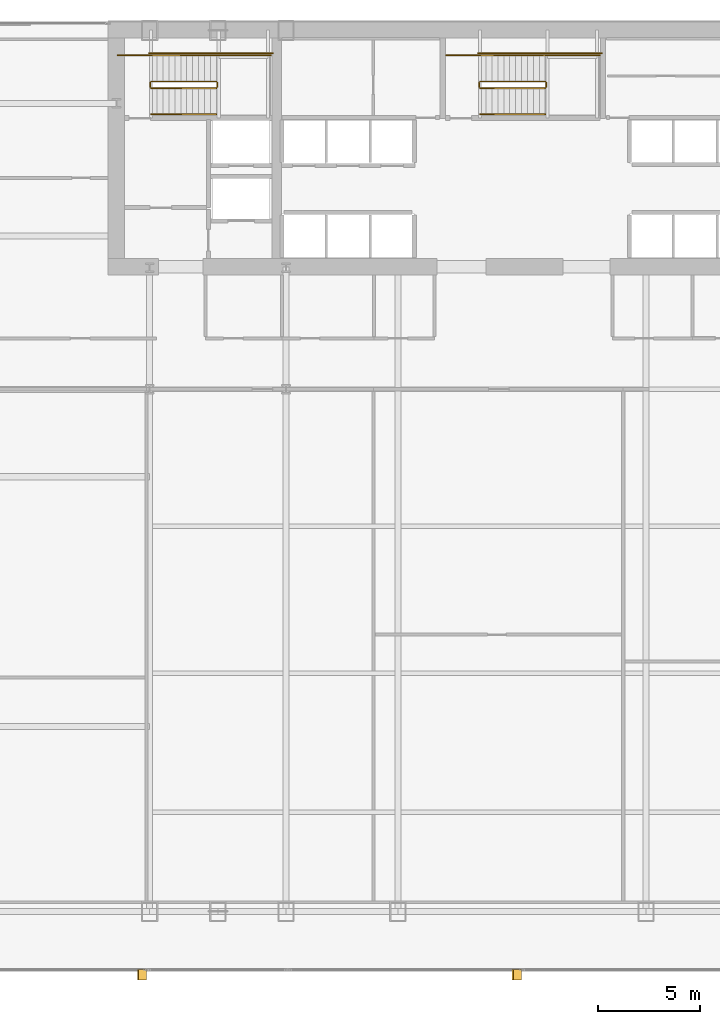
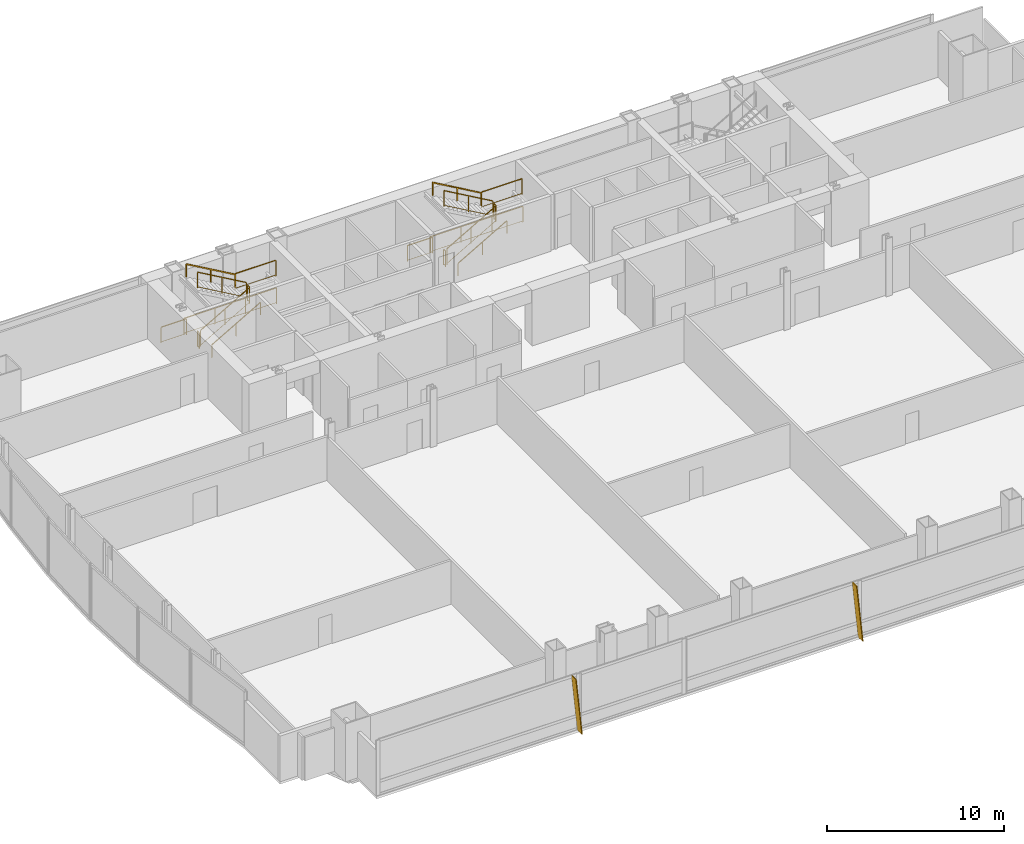
# One storey, part 33 of 35: 18 railings, 2 shading devices.
"""IFC4 building model written with IfcOpenShell, lengths in metres."""

from ifc_helpers import new_model, si_unit, direction, frame, origin, origin_2d, place, context, subcontext, project, spatial, polyline, rectangle, outline, extrude, material, layer, layer_set, type_object, element, save


model = new_model("IFC4")

# Units and contexts
model_context = context("Model", 3, precision=1e-05, world=origin(), true_north=direction((0.0, 1.0)))
body_context = subcontext(model_context, "Body", "Model", "MODEL_VIEW")
ifc_project = project(units=[si_unit("LENGTHUNIT", "METRE"), si_unit("AREAUNIT", "SQUARE_METRE"), si_unit("VOLUMEUNIT", "CUBIC_METRE"), si_unit("PLANEANGLEUNIT", "RADIAN"), si_unit("MASSUNIT", "GRAM", prefix="KILO")], contexts=[model_context])

# Site, building, storey
site_placement = place(None, origin())
site = spatial("IfcSite", under=ifc_project, at=site_placement, CompositionType="ELEMENT")
building_placement = place(site_placement, origin())
building = spatial("IfcBuilding", under=site, at=building_placement, Name="Khoronbel Lancet Exchange", CompositionType="ELEMENT")
storey_placement = place(building_placement, frame((0.0, 0.0, 69.800048828125)))
storey = spatial("IfcBuildingStorey", under=building, at=storey_placement, Name="L16", CompositionType="ELEMENT", Elevation=69.800048828125)

# Railings
ifc_material_1 = material(Name="Painted Steel Balustrade", Category="steel")
railing_type_1 = type_object("IfcRailingType", Name="RL-STG110", PredefinedType="GUARDRAIL", material=ifc_material_1)
railing_1_placement = place(storey_placement, frame((18.300048828125, 50.449951171875, 0.16650390625)))
element("IfcRailing", 1, at=railing_1_placement, inside=storey, type_object=railing_type_1, Name="L16 ST1 stair guard 1", PredefinedType="GUARDRAIL", context=body_context, shape_type="SweptSolid", body=[
    extrude(rectangle(XDim=0.048095703125, YDim=0.048095703125, at=origin_2d()), frame((0.0, 0.0, 1.09619140625), z_axis=(0.86699087805, 0.0, 0.498324008431), x_axis=(0.0, 1.0, 0.0)), (0.0, 0.0, 1.0), 3.679443359375),
    extrude(rectangle(XDim=0.02392578125, YDim=0.02392578125, at=origin_2d()), frame((0.0, 0.0, 0.080078125), z_axis=(0.86699087805, 0.0, 0.498324008431), x_axis=(0.0, 1.0, 0.0)), (0.0, 0.0, 1.0), 3.679443359375),
    extrude(rectangle(XDim=0.0419921875, YDim=0.0419921875, at=origin_2d()), origin(), (0.0, 0.0, 1.0), 1.072021484375),
    extrude(rectangle(XDim=0.0419921875, YDim=0.0419921875, at=origin_2d()), frame((1.594970703125, 0.0, 0.916748046875)), (0.0, 0.0, 1.0), 1.072021484375),
    extrude(rectangle(XDim=0.0419921875, YDim=0.0419921875, at=origin_2d()), frame((3.18994140625, 0.0, 1.83349609375)), (0.0, 0.0, 1.0), 1.072021484375),
])
railing_2_placement = place(storey_placement, frame((21.5400390625, 50.5, 2.0)))
element("IfcRailing", 2, at=railing_2_placement, inside=storey, type_object=railing_type_1, Name="L16 ST1 stair guard 2", PredefinedType="GUARDRAIL", context=body_context, shape_type="SweptSolid", body=[
    extrude(rectangle(XDim=0.048095703125, YDim=0.048095703125, at=origin_2d()), frame((0.0, 0.0, 1.09619140625), z_axis=(0.0, 1.0, 0.0), x_axis=(-1.0, 0.0, 0.0)), (0.0, 0.0, 1.0), 0.219970703125),
    extrude(rectangle(XDim=0.02392578125, YDim=0.02392578125, at=origin_2d()), frame((0.0, 0.0, 0.080078125), z_axis=(0.0, 1.0, 0.0), x_axis=(-1.0, 0.0, 0.0)), (0.0, 0.0, 1.0), 0.219970703125),
    extrude(rectangle(XDim=0.0419921875, YDim=0.0419921875, at=origin_2d()), origin(), (0.0, 0.0, 1.0), 1.072021484375),
    extrude(rectangle(XDim=0.0419921875, YDim=0.0419921875, at=origin_2d()), frame((0.0, 0.219970703125, 0.0)), (0.0, 0.0, 1.0), 1.072021484375),
])
railing_3_placement = place(storey_placement, frame((21.489990234375, 52.050048828125, 2.0)))
element("IfcRailing", 3, at=railing_3_placement, inside=storey, type_object=railing_type_1, Name="L16 ST1 stair guard 3", PredefinedType="GUARDRAIL", context=body_context, shape_type="SweptSolid", body=[
    extrude(rectangle(XDim=0.048095703125, YDim=0.048095703125, at=origin_2d()), frame((0.0, 0.0, 1.09619140625), z_axis=(1.0, 0.0, 0.0), x_axis=(0.0, 1.0, 0.0)), (0.0, 0.0, 1.0), 2.659912109375),
    extrude(rectangle(XDim=0.02392578125, YDim=0.02392578125, at=origin_2d()), frame((0.0, 0.0, 0.080078125), z_axis=(1.0, 0.0, 0.0), x_axis=(0.0, 1.0, 0.0)), (0.0, 0.0, 1.0), 2.659912109375),
    extrude(rectangle(XDim=0.0419921875, YDim=0.0419921875, at=origin_2d()), origin(), (0.0, 0.0, 1.0), 1.072021484375),
    extrude(rectangle(XDim=0.0419921875, YDim=0.0419921875, at=origin_2d()), frame((2.659912109375, 0.0, 0.0)), (0.0, 0.0, 1.0), 1.072021484375),
])
railing_4_placement = place(storey_placement, frame((21.489990234375, 50.77001953125, 2.16650390625)))
element("IfcRailing", 4, at=railing_4_placement, inside=storey, type_object=railing_type_1, Name="L16 ST1 stair guard 4", PredefinedType="GUARDRAIL", context=body_context, shape_type="SweptSolid", body=[
    extrude(rectangle(XDim=0.048095703125, YDim=0.048095703125, at=origin_2d()), frame((0.0, 0.0, 1.09619140625), z_axis=(-0.86699087805, 0.0, 0.498324008431), x_axis=(0.0, -1.0, 0.0)), (0.0, 0.0, 1.0), 3.679443359375),
    extrude(rectangle(XDim=0.02392578125, YDim=0.02392578125, at=origin_2d()), frame((0.0, 0.0, 0.080078125), z_axis=(-0.86699087805, 0.0, 0.498324008431), x_axis=(0.0, -1.0, 0.0)), (0.0, 0.0, 1.0), 3.679443359375),
    extrude(rectangle(XDim=0.0419921875, YDim=0.0419921875, at=origin_2d()), origin(), (0.0, 0.0, 1.0), 1.072021484375),
    extrude(rectangle(XDim=0.0419921875, YDim=0.0419921875, at=origin_2d()), frame((-1.594970703125, 0.0, 0.916748046875)), (0.0, 0.0, 1.0), 1.072021484375),
    extrude(rectangle(XDim=0.0419921875, YDim=0.0419921875, at=origin_2d()), frame((-3.18994140625, 0.0, 1.83349609375)), (0.0, 0.0, 1.0), 1.072021484375),
])
railing_5_placement = place(storey_placement, frame((18.25, 50.5, 0.0)))
element("IfcRailing", 5, at=railing_5_placement, inside=storey, type_object=railing_type_1, Name="L16 ST1 stair guard 5", PredefinedType="GUARDRAIL", context=body_context, shape_type="SweptSolid", body=[
    extrude(rectangle(XDim=0.048095703125, YDim=0.048095703125, at=origin_2d()), frame((0.0, 0.0, 1.09619140625), z_axis=(0.0, 1.0, 0.0), x_axis=(-1.0, 0.0, 0.0)), (0.0, 0.0, 1.0), 0.219970703125),
    extrude(rectangle(XDim=0.02392578125, YDim=0.02392578125, at=origin_2d()), frame((0.0, 0.0, 0.080078125), z_axis=(0.0, 1.0, 0.0), x_axis=(-1.0, 0.0, 0.0)), (0.0, 0.0, 1.0), 0.219970703125),
    extrude(rectangle(XDim=0.0419921875, YDim=0.0419921875, at=origin_2d()), origin(), (0.0, 0.0, 1.0), 1.072021484375),
    extrude(rectangle(XDim=0.0419921875, YDim=0.0419921875, at=origin_2d()), frame((0.0, 0.219970703125, 0.0)), (0.0, 0.0, 1.0), 1.072021484375),
])
railing_6_placement = place(storey_placement, frame((16.64990234375, 52.050048828125, 0.0)))
element("IfcRailing", 6, at=railing_6_placement, inside=storey, type_object=railing_type_1, Name="L16 ST1 stair guard 6", PredefinedType="GUARDRAIL", context=body_context, shape_type="SweptSolid", body=[
    extrude(rectangle(XDim=0.048095703125, YDim=0.048095703125, at=origin_2d()), frame((0.0, 0.0, 1.09619140625), z_axis=(1.0, 0.0, 0.0), x_axis=(0.0, 1.0, 0.0)), (0.0, 0.0, 1.0), 1.650146484375),
    extrude(rectangle(XDim=0.02392578125, YDim=0.02392578125, at=origin_2d()), frame((0.0, 0.0, 0.080078125), z_axis=(1.0, 0.0, 0.0), x_axis=(0.0, 1.0, 0.0)), (0.0, 0.0, 1.0), 1.650146484375),
    extrude(rectangle(XDim=0.0419921875, YDim=0.0419921875, at=origin_2d()), origin(), (0.0, 0.0, 1.0), 1.072021484375),
    extrude(rectangle(XDim=0.0419921875, YDim=0.0419921875, at=origin_2d()), frame((1.650146484375, 0.0, 0.0)), (0.0, 0.0, 1.0), 1.072021484375),
])
railing_7_placement = place(storey_placement, frame((18.199951171875, 52.14990234375, 0.0)))
element("IfcRailing", 7, at=railing_7_placement, inside=storey, type_object=railing_type_1, Name="L16 ST1 stair guard 7", PredefinedType="GUARDRAIL", context=body_context, shape_type="SweptSolid", body=[
    extrude(rectangle(XDim=0.048095703125, YDim=0.048095703125, at=origin_2d()), frame((0.0, 0.0, 1.09619140625), z_axis=(1.0, 0.0, 0.0), x_axis=(0.0, 1.0, 0.0)), (0.0, 0.0, 1.0), 6.050048828125),
    extrude(rectangle(XDim=0.02392578125, YDim=0.02392578125, at=origin_2d()), frame((0.0, 0.0, 0.080078125), z_axis=(1.0, 0.0, 0.0), x_axis=(0.0, 1.0, 0.0)), (0.0, 0.0, 1.0), 6.050048828125),
    extrude(rectangle(XDim=0.0419921875, YDim=0.0419921875, at=origin_2d()), origin(), (0.0, 0.0, 1.0), 1.072021484375),
    extrude(rectangle(XDim=0.0419921875, YDim=0.0419921875, at=origin_2d()), frame((2.0166015625, 0.0, 0.0)), (0.0, 0.0, 1.0), 1.072021484375),
    extrude(rectangle(XDim=0.0419921875, YDim=0.0419921875, at=origin_2d()), frame((4.033447265625, 0.0, 0.0)), (0.0, 0.0, 1.0), 1.072021484375),
    extrude(rectangle(XDim=0.0419921875, YDim=0.0419921875, at=origin_2d()), frame((6.050048828125, 0.0, 0.0)), (0.0, 0.0, 1.0), 1.072021484375),
])
railing_8_placement = place(storey_placement, frame((34.39990234375, 50.449951171875, 0.16650390625)))
element("IfcRailing", 8, at=railing_8_placement, inside=storey, type_object=railing_type_1, Name="L16 ST3 stair guard 1", PredefinedType="GUARDRAIL", context=body_context, shape_type="SweptSolid", body=[
    extrude(rectangle(XDim=0.048095703125, YDim=0.048095703125, at=origin_2d()), frame((0.0, 0.0, 1.09619140625), z_axis=(0.867007354286, 0.0, 0.498295341753), x_axis=(0.0, 1.0, 0.0)), (0.0, 0.0, 1.0), 3.679443359375),
    extrude(rectangle(XDim=0.02392578125, YDim=0.02392578125, at=origin_2d()), frame((0.0, 0.0, 0.080078125), z_axis=(0.867007354286, 0.0, 0.498295341753), x_axis=(0.0, 1.0, 0.0)), (0.0, 0.0, 1.0), 3.679443359375),
    extrude(rectangle(XDim=0.0419921875, YDim=0.0419921875, at=origin_2d()), origin(), (0.0, 0.0, 1.0), 1.072021484375),
    extrude(rectangle(XDim=0.0419921875, YDim=0.0419921875, at=origin_2d()), frame((1.59521484375, 0.0, 0.916748046875)), (0.0, 0.0, 1.0), 1.072021484375),
    extrude(rectangle(XDim=0.0419921875, YDim=0.0419921875, at=origin_2d()), frame((3.190185546875, 0.0, 1.83349609375)), (0.0, 0.0, 1.0), 1.072021484375),
])
railing_9_placement = place(storey_placement, frame((37.639892578125, 50.5, 2.0)))
element("IfcRailing", 9, at=railing_9_placement, inside=storey, type_object=railing_type_1, Name="L16 ST3 stair guard 2", PredefinedType="GUARDRAIL", context=body_context, shape_type="SweptSolid", body=[
    extrude(rectangle(XDim=0.048095703125, YDim=0.048095703125, at=origin_2d()), frame((0.0, 0.0, 1.09619140625), z_axis=(0.0, 1.0, 0.0), x_axis=(-1.0, 0.0, 0.0)), (0.0, 0.0, 1.0), 0.219970703125),
    extrude(rectangle(XDim=0.02392578125, YDim=0.02392578125, at=origin_2d()), frame((0.0, 0.0, 0.080078125), z_axis=(0.0, 1.0, 0.0), x_axis=(-1.0, 0.0, 0.0)), (0.0, 0.0, 1.0), 0.219970703125),
    extrude(rectangle(XDim=0.0419921875, YDim=0.0419921875, at=origin_2d()), origin(), (0.0, 0.0, 1.0), 1.072021484375),
    extrude(rectangle(XDim=0.0419921875, YDim=0.0419921875, at=origin_2d()), frame((0.0, 0.219970703125, 0.0)), (0.0, 0.0, 1.0), 1.072021484375),
])
railing_10_placement = place(storey_placement, frame((37.590087890625, 52.050048828125, 2.0)))
element("IfcRailing", 10, at=railing_10_placement, inside=storey, type_object=railing_type_1, Name="L16 ST3 stair guard 3", PredefinedType="GUARDRAIL", context=body_context, shape_type="SweptSolid", body=[
    extrude(rectangle(XDim=0.048095703125, YDim=0.048095703125, at=origin_2d()), frame((0.0, 0.0, 1.09619140625), z_axis=(1.0, 0.0, 0.0), x_axis=(0.0, 1.0, 0.0)), (0.0, 0.0, 1.0), 2.659912109375),
    extrude(rectangle(XDim=0.02392578125, YDim=0.02392578125, at=origin_2d()), frame((0.0, 0.0, 0.080078125), z_axis=(1.0, 0.0, 0.0), x_axis=(0.0, 1.0, 0.0)), (0.0, 0.0, 1.0), 2.659912109375),
    extrude(rectangle(XDim=0.0419921875, YDim=0.0419921875, at=origin_2d()), origin(), (0.0, 0.0, 1.0), 1.072021484375),
    extrude(rectangle(XDim=0.0419921875, YDim=0.0419921875, at=origin_2d()), frame((2.659912109375, 0.0, 0.0)), (0.0, 0.0, 1.0), 1.072021484375),
])
railing_11_placement = place(storey_placement, frame((37.590087890625, 50.77001953125, 2.16650390625)))
element("IfcRailing", 11, at=railing_11_placement, inside=storey, type_object=railing_type_1, Name="L16 ST3 stair guard 4", PredefinedType="GUARDRAIL", context=body_context, shape_type="SweptSolid", body=[
    extrude(rectangle(XDim=0.048095703125, YDim=0.048095703125, at=origin_2d()), frame((0.0, 0.0, 1.09619140625), z_axis=(-0.867007354286, 0.0, 0.498295341753), x_axis=(0.0, -1.0, 0.0)), (0.0, 0.0, 1.0), 3.679443359375),
    extrude(rectangle(XDim=0.02392578125, YDim=0.02392578125, at=origin_2d()), frame((0.0, 0.0, 0.080078125), z_axis=(-0.867007354286, 0.0, 0.498295341753), x_axis=(0.0, -1.0, 0.0)), (0.0, 0.0, 1.0), 3.679443359375),
    extrude(rectangle(XDim=0.0419921875, YDim=0.0419921875, at=origin_2d()), origin(), (0.0, 0.0, 1.0), 1.072021484375),
    extrude(rectangle(XDim=0.0419921875, YDim=0.0419921875, at=origin_2d()), frame((-1.59521484375, 0.0, 0.916748046875)), (0.0, 0.0, 1.0), 1.072021484375),
    extrude(rectangle(XDim=0.0419921875, YDim=0.0419921875, at=origin_2d()), frame((-3.190185546875, 0.0, 1.83349609375)), (0.0, 0.0, 1.0), 1.072021484375),
])
railing_12_placement = place(storey_placement, frame((34.35009765625, 50.5, 0.0)))
element("IfcRailing", 12, at=railing_12_placement, inside=storey, type_object=railing_type_1, Name="L16 ST3 stair guard 5", PredefinedType="GUARDRAIL", context=body_context, shape_type="SweptSolid", body=[
    extrude(rectangle(XDim=0.048095703125, YDim=0.048095703125, at=origin_2d()), frame((0.0, 0.0, 1.09619140625), z_axis=(0.0, 1.0, 0.0), x_axis=(-1.0, 0.0, 0.0)), (0.0, 0.0, 1.0), 0.219970703125),
    extrude(rectangle(XDim=0.02392578125, YDim=0.02392578125, at=origin_2d()), frame((0.0, 0.0, 0.080078125), z_axis=(0.0, 1.0, 0.0), x_axis=(-1.0, 0.0, 0.0)), (0.0, 0.0, 1.0), 0.219970703125),
    extrude(rectangle(XDim=0.0419921875, YDim=0.0419921875, at=origin_2d()), origin(), (0.0, 0.0, 1.0), 1.072021484375),
    extrude(rectangle(XDim=0.0419921875, YDim=0.0419921875, at=origin_2d()), frame((0.0, 0.219970703125, 0.0)), (0.0, 0.0, 1.0), 1.072021484375),
])
railing_13_placement = place(storey_placement, frame((32.75, 52.050048828125, 0.0)))
element("IfcRailing", 13, at=railing_13_placement, inside=storey, type_object=railing_type_1, Name="L16 ST3 stair guard 6", PredefinedType="GUARDRAIL", context=body_context, shape_type="SweptSolid", body=[
    extrude(rectangle(XDim=0.048095703125, YDim=0.048095703125, at=origin_2d()), frame((0.0, 0.0, 1.09619140625), z_axis=(1.0, 0.0, 0.0), x_axis=(0.0, 1.0, 0.0)), (0.0, 0.0, 1.0), 1.64990234375),
    extrude(rectangle(XDim=0.02392578125, YDim=0.02392578125, at=origin_2d()), frame((0.0, 0.0, 0.080078125), z_axis=(1.0, 0.0, 0.0), x_axis=(0.0, 1.0, 0.0)), (0.0, 0.0, 1.0), 1.64990234375),
    extrude(rectangle(XDim=0.0419921875, YDim=0.0419921875, at=origin_2d()), origin(), (0.0, 0.0, 1.0), 1.072021484375),
    extrude(rectangle(XDim=0.0419921875, YDim=0.0419921875, at=origin_2d()), frame((1.64990234375, 0.0, 0.0)), (0.0, 0.0, 1.0), 1.072021484375),
])
railing_14_placement = place(storey_placement, frame((34.300048828125, 52.14990234375, 0.0)))
element("IfcRailing", 14, at=railing_14_placement, inside=storey, type_object=railing_type_1, Name="L16 ST3 stair guard 7", PredefinedType="GUARDRAIL", context=body_context, shape_type="SweptSolid", body=[
    extrude(rectangle(XDim=0.048095703125, YDim=0.048095703125, at=origin_2d()), frame((0.0, 0.0, 1.09619140625), z_axis=(1.0, 0.0, 0.0), x_axis=(0.0, 1.0, 0.0)), (0.0, 0.0, 1.0), 6.050048828125),
    extrude(rectangle(XDim=0.02392578125, YDim=0.02392578125, at=origin_2d()), frame((0.0, 0.0, 0.080078125), z_axis=(1.0, 0.0, 0.0), x_axis=(0.0, 1.0, 0.0)), (0.0, 0.0, 1.0), 6.050048828125),
    extrude(rectangle(XDim=0.0419921875, YDim=0.0419921875, at=origin_2d()), origin(), (0.0, 0.0, 1.0), 1.072021484375),
    extrude(rectangle(XDim=0.0419921875, YDim=0.0419921875, at=origin_2d()), frame((2.0166015625, 0.0, 0.0)), (0.0, 0.0, 1.0), 1.072021484375),
    extrude(rectangle(XDim=0.0419921875, YDim=0.0419921875, at=origin_2d()), frame((4.033447265625, 0.0, 0.0)), (0.0, 0.0, 1.0), 1.072021484375),
    extrude(rectangle(XDim=0.0419921875, YDim=0.0419921875, at=origin_2d()), frame((6.050048828125, 0.0, 0.0)), (0.0, 0.0, 1.0), 1.072021484375),
])
ifc_material_2 = material(Name="Brushed Stainless Steel 316", Category="steel")
railing_type_2 = type_object("IfcRailingType", Name="RL-STH92", PredefinedType="HANDRAIL", material=ifc_material_2)
railing_15_placement = place(storey_placement, frame((18.300048828125, 49.169921875, 0.16650390625)))
element("IfcRailing", 15, at=railing_15_placement, inside=storey, type_object=railing_type_2, Name="L16 ST1 stair handrail 1", PredefinedType="HANDRAIL", context=body_context, shape_type="SweptSolid", body=[
    extrude(rectangle(XDim=0.048095703125, YDim=0.048095703125, at=origin_2d()), frame((0.0, 0.0, 0.8759765625), z_axis=(0.86699087805, 0.0, 0.498324008431), x_axis=(0.0, 1.0, 0.0)), (0.0, 0.0, 1.0), 3.679443359375),
    extrude(rectangle(XDim=0.0419921875, YDim=0.0419921875, at=origin_2d()), origin(), (0.0, 0.0, 1.0), 0.851806640625),
    extrude(rectangle(XDim=0.0419921875, YDim=0.0419921875, at=origin_2d()), frame((1.594970703125, 0.0, 0.916748046875)), (0.0, 0.0, 1.0), 0.851806640625),
    extrude(rectangle(XDim=0.0419921875, YDim=0.0419921875, at=origin_2d()), frame((3.18994140625, 0.0, 1.83349609375)), (0.0, 0.0, 1.0), 0.851806640625),
])
railing_16_placement = place(storey_placement, frame((21.489990234375, 52.050048828125, 2.16650390625)))
element("IfcRailing", 16, at=railing_16_placement, inside=storey, type_object=railing_type_2, Name="L16 ST1 stair handrail 2", PredefinedType="HANDRAIL", context=body_context, shape_type="SweptSolid", body=[
    extrude(rectangle(XDim=0.048095703125, YDim=0.048095703125, at=origin_2d()), frame((0.0, 0.0, 0.8759765625), z_axis=(-0.86699087805, 0.0, 0.498324008431), x_axis=(0.0, -1.0, 0.0)), (0.0, 0.0, 1.0), 3.679443359375),
    extrude(rectangle(XDim=0.0419921875, YDim=0.0419921875, at=origin_2d()), origin(), (0.0, 0.0, 1.0), 0.851806640625),
    extrude(rectangle(XDim=0.0419921875, YDim=0.0419921875, at=origin_2d()), frame((-1.594970703125, 0.0, 0.916748046875)), (0.0, 0.0, 1.0), 0.851806640625),
    extrude(rectangle(XDim=0.0419921875, YDim=0.0419921875, at=origin_2d()), frame((-3.18994140625, 0.0, 1.83349609375)), (0.0, 0.0, 1.0), 0.851806640625),
])
railing_17_placement = place(storey_placement, frame((34.39990234375, 49.169921875, 0.16650390625)))
element("IfcRailing", 17, at=railing_17_placement, inside=storey, type_object=railing_type_2, Name="L16 ST3 stair handrail 1", PredefinedType="HANDRAIL", context=body_context, shape_type="SweptSolid", body=[
    extrude(rectangle(XDim=0.048095703125, YDim=0.048095703125, at=origin_2d()), frame((0.0, 0.0, 0.8759765625), z_axis=(0.867007354286, 0.0, 0.498295341753), x_axis=(0.0, 1.0, 0.0)), (0.0, 0.0, 1.0), 3.679443359375),
    extrude(rectangle(XDim=0.0419921875, YDim=0.0419921875, at=origin_2d()), origin(), (0.0, 0.0, 1.0), 0.851806640625),
    extrude(rectangle(XDim=0.0419921875, YDim=0.0419921875, at=origin_2d()), frame((1.59521484375, 0.0, 0.916748046875)), (0.0, 0.0, 1.0), 0.851806640625),
    extrude(rectangle(XDim=0.0419921875, YDim=0.0419921875, at=origin_2d()), frame((3.190185546875, 0.0, 1.83349609375)), (0.0, 0.0, 1.0), 0.851806640625),
])
railing_18_placement = place(storey_placement, frame((37.590087890625, 52.050048828125, 2.16650390625)))
element("IfcRailing", 18, at=railing_18_placement, inside=storey, type_object=railing_type_2, Name="L16 ST3 stair handrail 2", PredefinedType="HANDRAIL", context=body_context, shape_type="SweptSolid", body=[
    extrude(rectangle(XDim=0.048095703125, YDim=0.048095703125, at=origin_2d()), frame((0.0, 0.0, 0.8759765625), z_axis=(-0.867007354286, 0.0, 0.498295341753), x_axis=(0.0, -1.0, 0.0)), (0.0, 0.0, 1.0), 3.679443359375),
    extrude(rectangle(XDim=0.0419921875, YDim=0.0419921875, at=origin_2d()), origin(), (0.0, 0.0, 1.0), 0.851806640625),
    extrude(rectangle(XDim=0.0419921875, YDim=0.0419921875, at=origin_2d()), frame((-1.59521484375, 0.0, 0.916748046875)), (0.0, 0.0, 1.0), 0.851806640625),
    extrude(rectangle(XDim=0.0419921875, YDim=0.0419921875, at=origin_2d()), frame((-3.190185546875, 0.0, 1.83349609375)), (0.0, 0.0, 1.0), 0.851806640625),
])

# Shading devices
ifc_material_3 = material(Name="Bronze-Anodised Aluminium 6063-T6", Category="aluminium")
ifc_layer = layer(ifc_material_3, 0.054931640625, Name="Bronze-Anodised Aluminium 6063-T6")
ifc_layer_set = layer_set([ifc_layer], Name="Bronze-Anodised Aluminium 6063-T6")
shading_device_type = type_object("IfcShadingDeviceType", Name="SHD-FIN1", PredefinedType="USERDEFINED", material=ifc_layer_set)
for number, where, z_axis, x_axis, name in (
    (19, (18.072509765625, 7.31005859375, -0.080078125), (0.995011517869, 0.0, 0.099760108806), (0.0, -1.0, 0.0), "Slanted bronze solar fin CW-L16-SWV-1"),
    (20, (36.422607421875, 7.31005859375, -0.080078125), (0.995011517869, 0.0, 0.099760108806), (0.0, -1.0, 0.0), "Slanted bronze solar fin CW-L16-SCV-1"),
):
    element("IfcShadingDevice", number, at=place(storey_placement, frame(where, z_axis=z_axis, x_axis=x_axis)), inside=storey, type_object=shading_device_type, Name=name, ObjectType="FIN", PredefinedType="USERDEFINED", context=body_context, shape_type="SweptSolid", body=[
        extrude(outline(polyline([(0.0, 0.0), (0.52001953125, 0.0), (0.52001953125, -3.959716796875), (0.0, -3.959716796875), (0.0, 0.0)])), origin(), (0.0, 0.0, -1.0), 0.054931640625),
    ])

save(model, "model.ifc")
